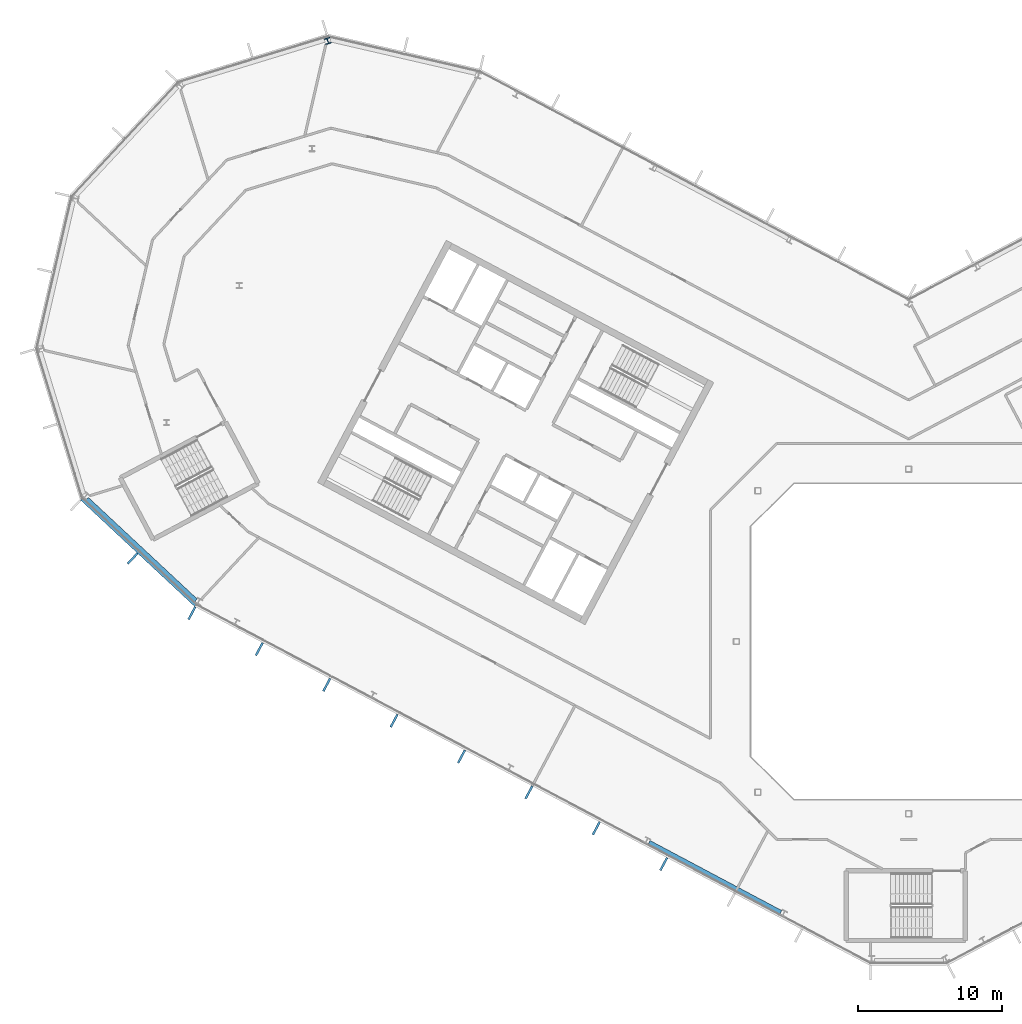
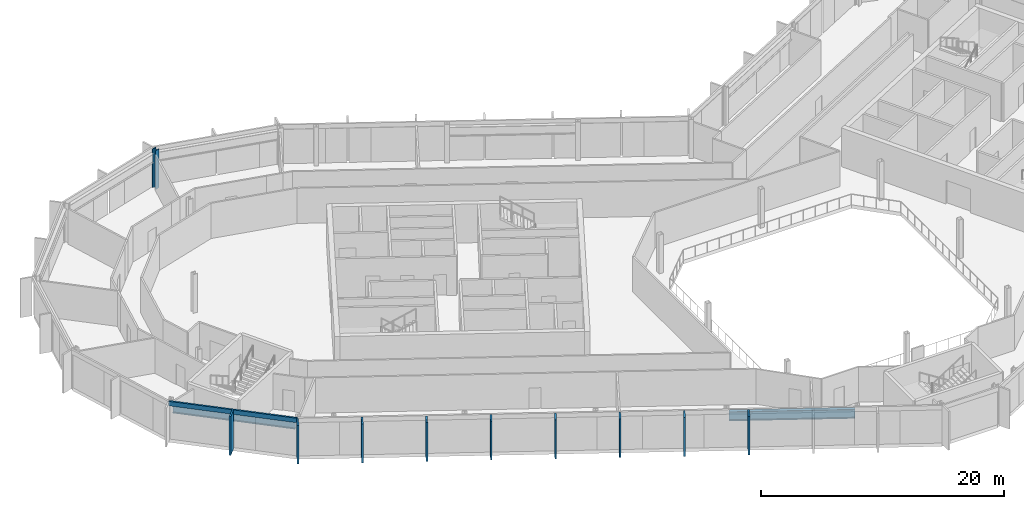
# One storey, part 8 of 25: 10 members, 2 beams, 1 column, 2 elements without a shape of their own.
"""IFC4 building model written with IfcOpenShell, lengths in metres."""

import ifcopenshell
import ifcopenshell.guid

model = None  # the IFC model being written
_history = None  # IfcOwnerHistory: only IFC2X3 demands one
_inside = {}  # id of a spatial element -> (the spatial element, [elements in it])
_under = {}  # id of a project, library or spatial element -> (it, [spatial elements below it])
_declared = {}  # id of a project -> (the project, [libraries it declares])
_typed = {}  # id of a type object -> (the type object, [elements of that type])
_made_of = {}  # id of a material, layer set ... -> (it, [elements and type objects made of it])


def new_model(schema):
    """Start an empty IFC model of exactly this schema.

    Asked for "IFC4X3", IfcOpenShell would pick the latest addendum, in which some entities
    have other attributes; the version numbers below select the first issue.
    IFC2X3 requires an IfcOwnerHistory on every rooted entity: one is made here for all.
    """
    global model, _history
    if schema == "IFC4X3":
        model = ifcopenshell.file(schema_version=(4, 3, 0, 0))
    else:
        model = ifcopenshell.file(schema=schema)
    _inside.clear()
    _under.clear()
    _declared.clear()
    _typed.clear()
    _made_of.clear()
    _history = None
    if model.schema == "IFC2X3":
        org = make("IfcOrganization", Name="unknown")
        user = make(
            "IfcPersonAndOrganization",
            ThePerson=make("IfcPerson", FamilyName="unknown"),
            TheOrganization=org,
        )
        app = make(
            "IfcApplication",
            ApplicationDeveloper=org,
            Version="unknown",
            ApplicationFullName="unknown",
            ApplicationIdentifier="unknown",
        )
        _history = make(
            "IfcOwnerHistory",
            OwningUser=user,
            OwningApplication=app,
            ChangeAction="ADDED",
            CreationDate=0,
        )
    return model


def make(cls, **values):
    """One entity of the class cls with the attributes given. An attribute that is None is left unset."""
    return model.create_entity(
        cls, **{name: value for name, value in values.items() if value is not None}
    )


def rooted(cls, **values):
    """An entity with a GlobalId (a new one), such as an element, a storey or a relation."""
    return make(cls, GlobalId=ifcopenshell.guid.new(), OwnerHistory=_history, **values)


def si_unit(unit_type, name, prefix=None):
    """IfcSIUnit, for example si_unit("LENGTHUNIT", "METRE", prefix="MILLI")."""
    return make("IfcSIUnit", UnitType=unit_type, Prefix=prefix, Name=name)


def assignment(units):
    """IfcUnitAssignment: the units of a project."""
    return None if units is None else make("IfcUnitAssignment", Units=units)


def point(xyz):
    """IfcCartesianPoint."""
    return None if xyz is None else make("IfcCartesianPoint", Coordinates=xyz)


def direction(xyz):
    """IfcDirection."""
    return None if xyz is None else make("IfcDirection", DirectionRatios=xyz)


def frame(location, z_axis=None, x_axis=None):
    """IfcAxis2Placement3D, a coordinate frame: its origin and axes. An axis left out is left unset."""
    return make(
        "IfcAxis2Placement3D",
        Location=point(location),
        Axis=direction(z_axis),
        RefDirection=direction(x_axis),
    )


def frame_2d(location, x_axis=None):
    """IfcAxis2Placement2D, a coordinate frame in the plane: its origin and x axis."""
    return make(
        "IfcAxis2Placement2D", Location=point(location), RefDirection=direction(x_axis)
    )


def origin():
    """The frame at (0, 0, 0) with its axes left unset."""
    return frame((0.0, 0.0, 0.0))


def origin_2d():
    """The frame at (0, 0) in the plane with its x axis left unset."""
    return frame_2d((0.0, 0.0))


def place(relative_to, where):
    """IfcLocalPlacement: puts the frame where relative to a parent placement (None: the world)."""
    return make(
        "IfcLocalPlacement", PlacementRelTo=relative_to, RelativePlacement=where
    )


def context(
    kind, dimensions, precision=None, world=None, true_north=None, identifier=None
):
    """IfcGeometricRepresentationContext, for example the 3D "Model" context."""
    return make(
        "IfcGeometricRepresentationContext",
        ContextIdentifier=identifier,
        ContextType=kind,
        CoordinateSpaceDimension=dimensions,
        Precision=precision,
        WorldCoordinateSystem=world,
        TrueNorth=true_north,
    )


def subcontext(parent, identifier, kind, view, scale=None):
    """IfcGeometricRepresentationSubContext, for example "Body" below "Model"."""
    return make(
        "IfcGeometricRepresentationSubContext",
        ContextIdentifier=identifier,
        ContextType=kind,
        ParentContext=parent,
        TargetScale=scale,
        TargetView=view,
    )


def project(units=None, contexts=None):
    """IfcProject with its units and contexts."""
    return rooted(
        "IfcProject",
        Name="project",
        RepresentationContexts=contexts,
        UnitsInContext=assignment(units),
    )


def spatial(cls, under=None, at=None, **own):
    """A site, building, storey or space (cls), placed at a placement, below another one or the project."""
    s = rooted(cls, ObjectPlacement=at, **own)
    if under is not None:
        _under.setdefault(under.id(), (under, []))[1].append(s)
    return s


def profile(cls, at=None, kind="AREA", **sizes):
    """A parametric profile (cls). Its sizes go by their IFC names, for example OverallWidth=200.0."""
    return make(cls, ProfileType=kind, Position=at, **sizes)


def rectangle(**sizes):
    """IfcRectangleProfileDef."""
    return profile("IfcRectangleProfileDef", **sizes)


def i_section(**sizes):
    """IfcIShapeProfileDef."""
    return profile("IfcIShapeProfileDef", **sizes)


def extrude(swept, where, along, depth):
    """IfcExtrudedAreaSolid: the profile swept, set in the frame where, extruded along a direction by depth."""
    return make(
        "IfcExtrudedAreaSolid",
        SweptArea=swept,
        Position=where,
        ExtrudedDirection=direction(along),
        Depth=depth,
    )


def shape(context_of_items, identifier, shape_type, items):
    """IfcShapeRepresentation: the items that make up one representation, for example the "Body"."""
    return make(
        "IfcShapeRepresentation",
        ContextOfItems=context_of_items,
        RepresentationIdentifier=identifier,
        RepresentationType=shape_type,
        Items=items,
    )


def material(Name=None, Category=None):
    """IfcMaterial."""
    return make("IfcMaterial", Name=Name, Category=Category)


def layer(
    of_material, thickness, ventilated=None, Name=None, Category=None, Priority=None
):
    """IfcMaterialLayer: one layer of a wall or slab, of a material (None: an air gap)."""
    return make(
        "IfcMaterialLayer",
        Material=of_material,
        LayerThickness=thickness,
        IsVentilated=ventilated,
        Name=Name,
        Category=Category,
        Priority=Priority,
    )


def layer_set(layers, Name=None):
    """IfcMaterialLayerSet."""
    return make("IfcMaterialLayerSet", MaterialLayers=layers, LayerSetName=Name)


def material_profile(
    of_material, cross_section, Name=None, Category=None, Priority=None
):
    """IfcMaterialProfile: a cross section and its material."""
    return make(
        "IfcMaterialProfile",
        Name=Name,
        Material=of_material,
        Profile=cross_section,
        Priority=Priority,
        Category=Category,
    )


def profile_set(profiles, Name=None, composite=None):
    """IfcMaterialProfileSet."""
    return make(
        "IfcMaterialProfileSet",
        Name=Name,
        MaterialProfiles=profiles,
        CompositeProfile=composite,
    )


def made_of(thing, what):
    """Note that an element or type object is made of a material, layer set ...; save() writes the relation."""
    if what is not None:
        _made_of.setdefault(what.id(), (what, []))[1].append(thing)
    return thing


def type_object(cls, material=None, **own):
    """A type object (cls), such as IfcWallType, which elements share."""
    return made_of(rooted(cls, **own), material)


def element(
    cls,
    number,
    at=None,
    inside=None,
    cuts=None,
    type_object=None,
    material=None,
    context=None,
    identifier="Body",
    shape_type=None,
    held_by="IfcProductDefinitionShape",
    body=None,
    shapes=None,
    **own,
):
    """One element of the class cls, such as IfcWall. Its Tag is "e" and its number.

    at: its placement. inside: the storey or other place that contains it. cuts: it is an
    opening in that element (IfcRelVoidsElement). A single representation is given by context,
    identifier, shape_type and body (its items); several are given by shapes. held_by: the class
    of the entity that holds the representations. save() writes the other relations.
    """
    e = rooted(cls, Tag="e%d" % number, ObjectPlacement=at, **own)
    if body is not None:
        shapes = [shape(context, identifier, shape_type, body)]
    if shapes is not None:
        e.Representation = make(held_by, Representations=shapes)
    if inside is not None:
        _inside.setdefault(inside.id(), (inside, []))[1].append(e)
    if cuts is not None:
        rooted(
            "IfcRelVoidsElement", RelatingBuildingElement=cuts, RelatedOpeningElement=e
        )
    if type_object is not None:
        _typed.setdefault(type_object.id(), (type_object, []))[1].append(e)
    return made_of(e, material)


def aggregate(whole, parts):
    """IfcRelAggregates: a whole, such as a stair, and the parts it consists of."""
    return rooted("IfcRelAggregates", RelatingObject=whole, RelatedObjects=parts)


def save(model, path):
    """Write the relations noted so far, then the file.

    IfcRelAggregates (storeys below a building ...), IfcRelContainedInSpatialStructure (elements
    in a storey), IfcRelDefinesByType, IfcRelAssociatesMaterial and IfcRelDeclares: one each for
    every whole, place, type object, material and project.
    """
    for whole, parts in _under.values():
        aggregate(whole, parts)
    for where, things in _inside.values():
        rooted(
            "IfcRelContainedInSpatialStructure",
            RelatedElements=things,
            RelatingStructure=where,
        )
    for kind, things in _typed.values():
        rooted("IfcRelDefinesByType", RelatedObjects=things, RelatingType=kind)
    for what, things in _made_of.values():
        rooted("IfcRelAssociatesMaterial", RelatedObjects=things, RelatingMaterial=what)
    for by, libraries in _declared.values():
        rooted("IfcRelDeclares", RelatingContext=by, RelatedDefinitions=libraries)
    model.write(path)


model = new_model("IFC4")

# Units and contexts
model_context = context("Model", 3, precision=1e-05, world=origin(), true_north=direction((0.0, 1.0)))
body_context = subcontext(model_context, "Body", "Model", "MODEL_VIEW")
ifc_project = project(units=[si_unit("LENGTHUNIT", "METRE"), si_unit("AREAUNIT", "SQUARE_METRE"), si_unit("VOLUMEUNIT", "CUBIC_METRE"), si_unit("PLANEANGLEUNIT", "RADIAN"), si_unit("MASSUNIT", "GRAM", prefix="KILO")], contexts=[model_context])

# Site, building, storey
site_placement = place(None, origin())
site = spatial("IfcSite", under=ifc_project, at=site_placement, CompositionType="ELEMENT")
building_placement = place(site_placement, origin())
building = spatial("IfcBuilding", under=site, at=building_placement, Name="Cormorant Relay Tower", CompositionType="ELEMENT")
storey_placement = place(building_placement, frame((0.0, 0.0, 289.199951171875)))
storey = spatial("IfcBuildingStorey", under=building, at=storey_placement, Name="L65", CompositionType="ELEMENT", Elevation=289.199951171875)

# Column
ifc_material_1 = material(Name="Steel ASTM A992 (Fy 345 MPa)", Category="steel")
ifc_material_profile_1 = material_profile(ifc_material_1, i_section(OverallWidth=0.40380859375, OverallDepth=0.406494140625, WebThickness=0.027099609375, FlangeThickness=0.043701171875, FilletRadius=0.01513671875, at=origin_2d()), Name="W360x347")
ifc_profile_set_1 = profile_set([ifc_material_profile_1], Name="Steel ASTM A992 (Fy 345 MPa)")
column_type = type_object("IfcColumnType", Name="Column W360x347", PredefinedType="COLUMN", material=ifc_profile_set_1)
column_placement = place(storey_placement, frame((-40.455078125, 41.823974609375, 0.0), z_axis=(0.0, 0.0, 1.0), x_axis=(-0.956304755963, -0.292371704723, 0.0)))
element("IfcColumn", 1, at=column_placement, inside=storey, type_object=column_type, Name="Column L65-043", PredefinedType="COLUMN", context=body_context, shape_type="SweptSolid", body=[
    extrude(i_section(OverallWidth=0.40380859375, OverallDepth=0.406494140625, WebThickness=0.027099609375, FlangeThickness=0.043701171875, FilletRadius=0.01513671875, at=origin_2d()), origin(), (0.0, 0.0, 1.0), 3.900146484375),
])

# Curtain wall, member
ifc_material_2 = material(Name="Aluminium 6063-T6 anodised bronze", Category="aluminium")
ifc_layer = layer(ifc_material_2, 0.199951171875)
ifc_layer_set = layer_set([ifc_layer], Name="CW1 unitised bronze curtain wall with vertical fins")
curtain_wall_type = type_object("IfcCurtainWallType", Name="CW1 unitised bronze curtain wall with vertical fins", PredefinedType="NOTDEFINED", material=ifc_layer_set)
curtain_wall_1_placement = place(storey_placement, origin())
curtain_wall_1 = element("IfcCurtainWall", 2, at=curtain_wall_1_placement, inside=storey, type_object=curtain_wall_type, Name="CW1 curtain wall 15", PredefinedType="NOTDEFINED")
ifc_material_3 = material(Name="Aluminium 6063-T6 anodised bronze", Category="aluminium")
ifc_material_profile_2 = material_profile(ifc_material_3, rectangle(XDim=0.14990234375, YDim=1.0, at=origin_2d()), Name="AL 150x1000")
ifc_profile_set_2 = profile_set([ifc_material_profile_2], Name="Aluminium 6063-T6 anodised bronze")
member_type_1 = type_object("IfcMemberType", Name="CW1 bronze fin mullion 150 x 1000", PredefinedType="MULLION", material=ifc_profile_set_2)
member_1_placement = place(storey_placement, frame((-54.0439453125, 5.779296875, 0.0), z_axis=(0.0, 0.0, 1.0), x_axis=(0.731353701619, -0.681998360062, 0.0)))
member_1 = element("IfcMember", 3, at=member_1_placement, type_object=member_type_1, Name="CW1 fin 15.2", PredefinedType="MULLION", context=body_context, shape_type="SweptSolid", body=[
    extrude(rectangle(XDim=0.14990234375, YDim=1.0, at=origin_2d()), origin(), (0.0, 0.0, 1.0), 3.900146484375),
])

# Curtain wall, members
curtain_wall_2_placement = place(storey_placement, origin())
curtain_wall_2 = element("IfcCurtainWall", 4, at=curtain_wall_2_placement, inside=storey, type_object=curtain_wall_type, Name="CW1 curtain wall 16", PredefinedType="NOTDEFINED")
member_2_placement = place(storey_placement, frame((-49.920166015625, 1.96630859375, 0.0), z_axis=(0.0, 0.0, 1.0), x_axis=(0.882947592859, -0.469471562786, 0.0)))
member_2 = element("IfcMember", 5, at=member_2_placement, type_object=member_type_1, Name="CW1 fin 16.1", PredefinedType="MULLION", context=body_context, shape_type="SweptSolid", body=[
    extrude(rectangle(XDim=0.14990234375, YDim=1.0, at=origin_2d()), origin(), (0.0, 0.0, 1.0), 3.900146484375),
])
member_3_placement = place(storey_placement, frame((-45.225830078125, -0.52978515625, 0.0), z_axis=(0.0, 0.0, 1.0), x_axis=(0.882947592859, -0.469471562786, 0.0)))
member_3 = element("IfcMember", 6, at=member_3_placement, type_object=member_type_1, Name="CW1 fin 16.2", PredefinedType="MULLION", context=body_context, shape_type="SweptSolid", body=[
    extrude(rectangle(XDim=0.14990234375, YDim=1.0, at=origin_2d()), origin(), (0.0, 0.0, 1.0), 3.900146484375),
])
member_4_placement = place(storey_placement, frame((-40.531494140625, -3.025634765625, 0.0), z_axis=(0.0, 0.0, 1.0), x_axis=(0.882947592859, -0.469471562786, 0.0)))
member_4 = element("IfcMember", 7, at=member_4_placement, type_object=member_type_1, Name="CW1 fin 16.3", PredefinedType="MULLION", context=body_context, shape_type="SweptSolid", body=[
    extrude(rectangle(XDim=0.14990234375, YDim=1.0, at=origin_2d()), origin(), (0.0, 0.0, 1.0), 3.900146484375),
])
member_5_placement = place(storey_placement, frame((-35.83740234375, -5.521728515625, 0.0), z_axis=(0.0, 0.0, 1.0), x_axis=(0.882947592859, -0.469471562786, 0.0)))
member_5 = element("IfcMember", 8, at=member_5_placement, type_object=member_type_1, Name="CW1 fin 16.4", PredefinedType="MULLION", context=body_context, shape_type="SweptSolid", body=[
    extrude(rectangle(XDim=0.14990234375, YDim=1.0, at=origin_2d()), origin(), (0.0, 0.0, 1.0), 3.900146484375),
])
member_6_placement = place(storey_placement, frame((-31.14306640625, -8.017578125, 0.0), z_axis=(0.0, 0.0, 1.0), x_axis=(0.882947592859, -0.469471562786, 0.0)))
member_6 = element("IfcMember", 9, at=member_6_placement, type_object=member_type_1, Name="CW1 fin 16.5", PredefinedType="MULLION", context=body_context, shape_type="SweptSolid", body=[
    extrude(rectangle(XDim=0.14990234375, YDim=1.0, at=origin_2d()), origin(), (0.0, 0.0, 1.0), 3.900146484375),
])
member_7_placement = place(storey_placement, frame((-26.44873046875, -10.513671875, 0.0), z_axis=(0.0, 0.0, 1.0), x_axis=(0.882947592859, -0.469471562786, 0.0)))
member_7 = element("IfcMember", 10, at=member_7_placement, type_object=member_type_1, Name="CW1 fin 16.6", PredefinedType="MULLION", context=body_context, shape_type="SweptSolid", body=[
    extrude(rectangle(XDim=0.14990234375, YDim=1.0, at=origin_2d()), origin(), (0.0, 0.0, 1.0), 3.900146484375),
])
member_8_placement = place(storey_placement, frame((-21.754638671875, -13.009765625, 0.0), z_axis=(0.0, 0.0, 1.0), x_axis=(0.882947592859, -0.469471562786, 0.0)))
member_8 = element("IfcMember", 11, at=member_8_placement, type_object=member_type_1, Name="CW1 fin 16.7", PredefinedType="MULLION", context=body_context, shape_type="SweptSolid", body=[
    extrude(rectangle(XDim=0.14990234375, YDim=1.0, at=origin_2d()), origin(), (0.0, 0.0, 1.0), 3.900146484375),
])
member_9_placement = place(storey_placement, frame((-17.060302734375, -15.505615234375, 0.0), z_axis=(0.0, 0.0, 1.0), x_axis=(0.882947592859, -0.469471562786, 0.0)))
member_9 = element("IfcMember", 12, at=member_9_placement, type_object=member_type_1, Name="CW1 fin 16.8", PredefinedType="MULLION", context=body_context, shape_type="SweptSolid", body=[
    extrude(rectangle(XDim=0.14990234375, YDim=1.0, at=origin_2d()), origin(), (0.0, 0.0, 1.0), 3.900146484375),
])
aggregate(curtain_wall_2, [member_2, member_3, member_4, member_5, member_6, member_7, member_8, member_9])

# Member
ifc_material_4 = material(Name="Aluminium 6063-T6 anodised bronze", Category="aluminium")
ifc_material_profile_3 = material_profile(ifc_material_4, rectangle(XDim=0.159912109375, YDim=0.449951171875, at=origin_2d()), Name="AL 160x450")
ifc_profile_set_3 = profile_set([ifc_material_profile_3], Name="Aluminium 6063-T6 anodised bronze")
member_type_2 = type_object("IfcMemberType", Name="CW1 bronze transom 160 x 450", PredefinedType="USERDEFINED", material=ifc_profile_set_3)
member_10_placement = place(storey_placement, frame((-57.62353515625, 9.91015625, 3.675048828125), z_axis=(0.731358420696, -0.681993299437, 0.0), x_axis=(0.681993299437, 0.731358420696, 0.0)))
member_10 = element("IfcMember", 13, at=member_10_placement, type_object=member_type_2, Name="CW1 transom 15", ObjectType="TRANSOM", PredefinedType="USERDEFINED", context=body_context, shape_type="SweptSolid", body=[
    extrude(rectangle(XDim=0.159912109375, YDim=0.449951171875, at=origin_2d()), origin(), (0.0, 0.0, 1.0), 10.870361328125),
])

aggregate(curtain_wall_1, [member_1, member_10])

# Beams
ifc_material_5 = material(Name="Steel ASTM A992 (Fy 345 MPa)", Category="steel")
ifc_material_profile_4 = material_profile(ifc_material_5, i_section(OverallWidth=0.307373046875, OverallDepth=0.927001953125, WebThickness=0.019287109375, FlangeThickness=0.031982421875, FilletRadius=0.01904296875, at=origin_2d()), Name="W920x289")
ifc_profile_set_4 = profile_set([ifc_material_profile_4], Name="Steel ASTM A992 (Fy 345 MPa)")
beam_type = type_object("IfcBeamType", Name="Spandrel W920x289", PredefinedType="SPANDREL", material=ifc_profile_set_4)
beam_1_placement = place(storey_placement, frame((-57.234619140625, 9.921630859375, 3.07666015625), z_axis=(0.731364191518, -0.681987110849, 0.0), x_axis=(0.681987110849, 0.731364191518, 0.0)))
element("IfcBeam", 14, at=beam_1_placement, inside=storey, type_object=beam_type, Name="Spandrel beam L65-015", PredefinedType="SPANDREL", context=body_context, shape_type="SweptSolid", body=[
    extrude(i_section(OverallWidth=0.307373046875, OverallDepth=0.927001953125, WebThickness=0.019287109375, FlangeThickness=0.031982421875, FilletRadius=0.01904296875, at=origin_2d()), origin(), (0.0, 0.0, 1.0), 10.37841796875),
])
beam_2_placement = place(storey_placement, frame((-18.0869140625, -13.992919921875, 3.07666015625), z_axis=(0.882946088703, -0.469474391681, 0.0), x_axis=(0.469474391681, 0.882946088703, 0.0)))
element("IfcBeam", 15, at=beam_2_placement, inside=storey, type_object=beam_type, Name="Spandrel beam L65-016", PredefinedType="SPANDREL", context=body_context, shape_type="SweptSolid", body=[
    extrude(i_section(OverallWidth=0.307373046875, OverallDepth=0.927001953125, WebThickness=0.019287109375, FlangeThickness=0.031982421875, FilletRadius=0.01904296875, at=origin_2d()), origin(), (0.0, 0.0, 1.0), 10.401611328125),
])

save(model, "model.ifc")
